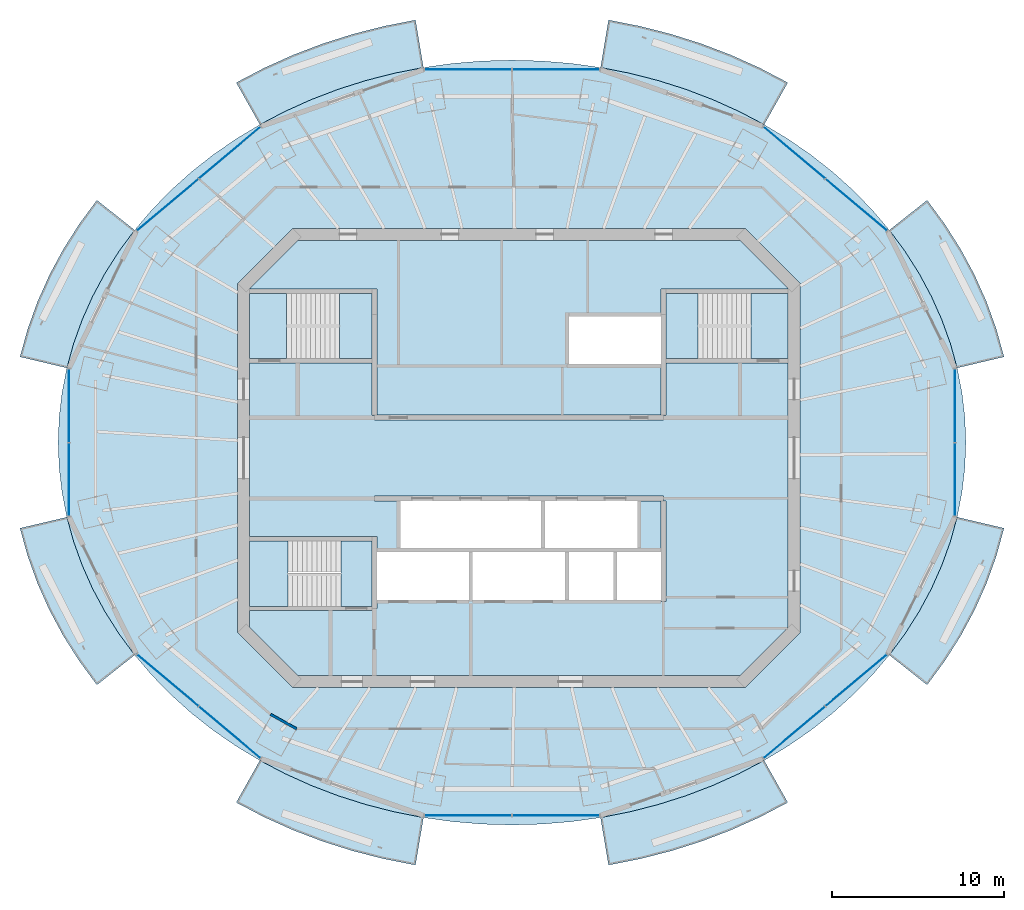
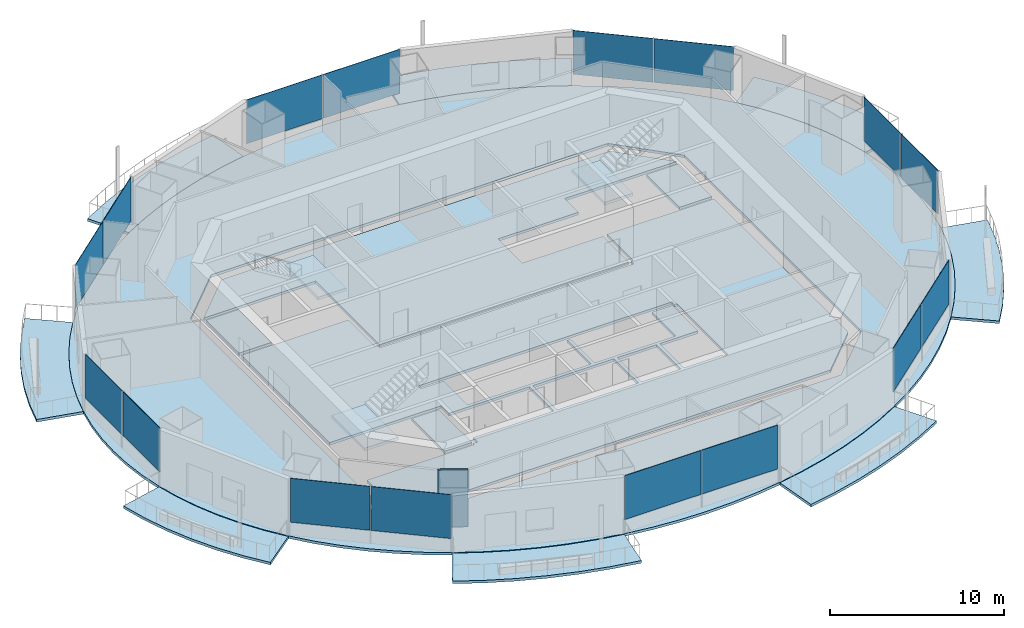
# One storey, part 7 of 16: 17 slabs, 16 plates, 1 wall, 11 elements without a shape of their own.
"""IFC4 building model written with IfcOpenShell, lengths in metres."""

from ifc_helpers import new_model, si_unit, direction, frame, frame_2d, origin, origin_2d, place, context, subcontext, project, spatial, polyline, rectangle, outline, extrude, material, layer, layer_set, type_object, element, aggregate, save


model = new_model("IFC4")

# Units and contexts
model_context = context("Model", 3, precision=1e-05, world=origin(), true_north=direction((0.0, 1.0)))
body_context = subcontext(model_context, "Body", "Model", "MODEL_VIEW")
ifc_project = project(units=[si_unit("LENGTHUNIT", "METRE"), si_unit("AREAUNIT", "SQUARE_METRE"), si_unit("VOLUMEUNIT", "CUBIC_METRE"), si_unit("PLANEANGLEUNIT", "RADIAN"), si_unit("MASSUNIT", "GRAM", prefix="KILO")], contexts=[model_context])

# Site, building, storey
site_placement = place(None, origin())
site = spatial("IfcSite", under=ifc_project, at=site_placement, CompositionType="ELEMENT")
building_placement = place(site_placement, origin())
building = spatial("IfcBuilding", under=site, at=building_placement, Name="Marenthal Gate Tower", CompositionType="ELEMENT")
storey_placement = place(building_placement, frame((0.0, 0.0, 367.5)))
storey = spatial("IfcBuildingStorey", under=building, at=storey_placement, Name="L83", CompositionType="ELEMENT", Elevation=367.5)

# Slabs
ifc_material_1 = material(Name="Concrete 40 MPa", Category="concrete")
ifc_layer_1 = layer(ifc_material_1, 0.179931640625)
ifc_layer_set_1 = layer_set([ifc_layer_1], Name="Balcony deck 180")
slab_type_1 = type_object("IfcSlabType", Name="Balcony deck 180", PredefinedType="USERDEFINED", material=ifc_layer_set_1)
slab_1_placement = place(storey_placement, frame((0.0, 0.0, -0.219970703125)))
element("IfcSlab", 1, at=slab_1_placement, inside=storey, type_object=slab_type_1, Name="Balcony deck L83 bay 1", ObjectType="BALCONY", PredefinedType="USERDEFINED", context=body_context, shape_type="SweptSolid", body=[
    extrude(outline(polyline([(25.47802734375, 5.237060546875), (25.0859375, 6.65380859375), (24.584716796875, 8.0458984375), (23.9765625, 9.407470703125), (23.263916015625, 10.732421875), (22.4501953125, 12.015380859375), (21.538330078125, 13.2509765625), (23.732177734375, 14.99072265625), (24.759765625, 13.59814453125), (25.680419921875, 12.14697265625), (26.4892578125, 10.642822265625), (27.181884765625, 9.09228515625), (27.75439453125, 7.50244140625), (28.203125, 5.88037109375), (25.47802734375, 5.237060546875)])), origin(), (0.0, 0.0, 1.0), 0.179931640625),
])
slab_2_placement = place(storey_placement, frame((0.0, 0.0, -0.219970703125)))
element("IfcSlab", 2, at=slab_2_placement, inside=storey, type_object=slab_type_1, Name="Balcony deck L83 bay 3", ObjectType="BALCONY", PredefinedType="USERDEFINED", context=body_context, shape_type="SweptSolid", body=[
    extrude(outline(polyline([(14.2587890625, 19.384521484375), (12.79248046875, 20.152587890625), (11.269775390625, 20.83837890625), (9.697021484375, 21.438720703125), (8.081298828125, 21.951171875), (6.428955078125, 22.37353515625), (4.74755859375, 22.703857421875), (5.210205078125, 25.46533203125), (7.04541015625, 25.104736328125), (8.85107421875, 24.643310546875), (10.61962890625, 24.08251953125), (12.34423828125, 23.424072265625), (14.017333984375, 22.67041015625), (15.63232421875, 21.82421875), (14.2587890625, 19.384521484375)])), origin(), (0.0, 0.0, 1.0), 0.179931640625),
])
slab_3_placement = place(storey_placement, frame((0.0, 0.0, -0.219970703125)))
element("IfcSlab", 3, at=slab_3_placement, inside=storey, type_object=slab_type_1, Name="Balcony deck L83 bay 5", ObjectType="BALCONY", PredefinedType="USERDEFINED", context=body_context, shape_type="SweptSolid", body=[
    extrude(outline(polyline([(-5.547607421875, 22.703857421875), (-7.22900390625, 22.37353515625), (-8.881103515625, 21.951171875), (-10.4970703125, 21.438720703125), (-12.06982421875, 20.83837890625), (-13.592529296875, 20.152587890625), (-15.05859375, 19.384521484375), (-16.432373046875, 21.82421875), (-14.8173828125, 22.67041015625), (-13.14404296875, 23.424072265625), (-11.419677734375, 24.08251953125), (-9.651123046875, 24.643310546875), (-7.845458984375, 25.104736328125), (-6.01025390625, 25.46533203125), (-5.547607421875, 22.703857421875)])), origin(), (0.0, 0.0, 1.0), 0.179931640625),
])
slab_4_placement = place(storey_placement, frame((0.0, 0.0, -0.219970703125)))
element("IfcSlab", 4, at=slab_4_placement, inside=storey, type_object=slab_type_1, Name="Balcony deck L83 bay 7", ObjectType="BALCONY", PredefinedType="USERDEFINED", context=body_context, shape_type="SweptSolid", body=[
    extrude(outline(polyline([(-22.33837890625, 13.2509765625), (-23.25, 12.015380859375), (-24.06396484375, 10.732421875), (-24.776611328125, 9.407470703125), (-25.384765625, 8.0458984375), (-25.885986328125, 6.65380859375), (-26.278076171875, 5.237060546875), (-29.003173828125, 5.88037109375), (-28.55419921875, 7.50244140625), (-27.98193359375, 9.09228515625), (-27.289306640625, 10.642822265625), (-26.48046875, 12.14697265625), (-25.559814453125, 13.59814453125), (-24.5322265625, 14.99072265625), (-22.33837890625, 13.2509765625)])), origin(), (0.0, 0.0, 1.0), 0.179931640625),
])
slab_5_placement = place(storey_placement, frame((0.0, 0.0, -0.219970703125)))
element("IfcSlab", 5, at=slab_5_placement, inside=storey, type_object=slab_type_1, Name="Balcony deck L83 bay 9", ObjectType="BALCONY", PredefinedType="USERDEFINED", context=body_context, shape_type="SweptSolid", body=[
    extrude(outline(polyline([(-26.278076171875, -3.43701171875), (-25.885986328125, -4.853759765625), (-25.384765625, -6.245849609375), (-24.776611328125, -7.607421875), (-24.06396484375, -8.9326171875), (-23.25, -10.215576171875), (-22.33837890625, -11.450927734375), (-24.5322265625, -13.190673828125), (-25.559814453125, -11.79833984375), (-26.48046875, -10.346923828125), (-27.289306640625, -8.8427734375), (-27.98193359375, -7.292236328125), (-28.55419921875, -5.702392578125), (-29.003173828125, -4.08056640625), (-26.278076171875, -3.43701171875)])), origin(), (0.0, 0.0, 1.0), 0.179931640625),
])
slab_6_placement = place(storey_placement, frame((0.0, 0.0, -0.219970703125)))
element("IfcSlab", 6, at=slab_6_placement, inside=storey, type_object=slab_type_1, Name="Balcony deck L83 bay 11", ObjectType="BALCONY", PredefinedType="USERDEFINED", context=body_context, shape_type="SweptSolid", body=[
    extrude(outline(polyline([(-15.05859375, -17.58447265625), (-13.592529296875, -18.3525390625), (-12.06982421875, -19.038330078125), (-10.4970703125, -19.638916015625), (-8.881103515625, -20.151123046875), (-7.22900390625, -20.573486328125), (-5.547607421875, -20.90380859375), (-6.01025390625, -23.665283203125), (-7.845458984375, -23.3046875), (-9.651123046875, -22.84326171875), (-11.419677734375, -22.282470703125), (-13.14404296875, -21.6240234375), (-14.8173828125, -20.87060546875), (-16.432373046875, -20.0244140625), (-15.05859375, -17.58447265625)])), origin(), (0.0, 0.0, 1.0), 0.179931640625),
])
slab_7_placement = place(storey_placement, frame((0.0, 0.0, -0.219970703125)))
element("IfcSlab", 7, at=slab_7_placement, inside=storey, type_object=slab_type_1, Name="Balcony deck L83 bay 13", ObjectType="BALCONY", PredefinedType="USERDEFINED", context=body_context, shape_type="SweptSolid", body=[
    extrude(outline(polyline([(4.74755859375, -20.90380859375), (6.428955078125, -20.573486328125), (8.081298828125, -20.151123046875), (9.697021484375, -19.638916015625), (11.269775390625, -19.038330078125), (12.79248046875, -18.3525390625), (14.2587890625, -17.58447265625), (15.63232421875, -20.0244140625), (14.017333984375, -20.87060546875), (12.34423828125, -21.6240234375), (10.61962890625, -22.282470703125), (8.85107421875, -22.84326171875), (7.04541015625, -23.3046875), (5.210205078125, -23.665283203125), (4.74755859375, -20.90380859375)])), origin(), (0.0, 0.0, 1.0), 0.179931640625),
])
slab_8_placement = place(storey_placement, frame((0.0, 0.0, -0.219970703125)))
element("IfcSlab", 8, at=slab_8_placement, inside=storey, type_object=slab_type_1, Name="Balcony deck L83 bay 15", ObjectType="BALCONY", PredefinedType="USERDEFINED", context=body_context, shape_type="SweptSolid", body=[
    extrude(outline(polyline([(21.538330078125, -11.450927734375), (22.4501953125, -10.215576171875), (23.263916015625, -8.9326171875), (23.9765625, -7.607421875), (24.584716796875, -6.245849609375), (25.0859375, -4.853759765625), (25.47802734375, -3.43701171875), (28.203125, -4.08056640625), (27.75439453125, -5.702392578125), (27.181884765625, -7.292236328125), (26.4892578125, -8.8427734375), (25.680419921875, -10.346923828125), (24.759765625, -11.79833984375), (23.732177734375, -13.190673828125), (21.538330078125, -11.450927734375)])), origin(), (0.0, 0.0, 1.0), 0.179931640625),
])
ifc_material_2 = material(Name="Concrete 50 MPa", Category="concrete")
ifc_layer_2 = layer(ifc_material_2, 0.179931640625)
ifc_layer_set_2 = layer_set([ifc_layer_2], Name="Core floor slab 180")
slab_type_2 = type_object("IfcSlabType", Name="Core floor slab 180", PredefinedType="FLOOR", material=ifc_layer_set_2)
slab_9_placement = place(storey_placement, frame((0.0, 0.0, -0.179931640625)))
element("IfcSlab", 9, at=slab_9_placement, inside=storey, type_object=slab_type_2, Name="Core floor L83", PredefinedType="FLOOR", context=body_context, shape_type="SweptSolid", body=[
    extrude(outline(polyline([(12.85498046875, -12.64990234375), (-12.85498046875, -12.64990234375), (-15.64990234375, -9.85498046875), (-15.64990234375, -8.875), (-8.550048828125, -8.875), (-8.550048828125, -8.75), (-8.25, -8.75), (-8.25, -8.239990234375), (-5.60009765625, -8.239990234375), (-2.909912109375, -8.239990234375), (-2.909912109375, -5.4599609375), (-5.60009765625, -5.4599609375), (-8.25, -5.4599609375), (-8.25, -4.574951171875), (-8.550048828125, -4.574951171875), (-15.64990234375, -4.574951171875), (-15.64990234375, 5.52490234375), (-8.550048828125, 5.52490234375), (-8.550048828125, 2.5), (-8.39990234375, 2.5), (-8.39990234375, 2.199951171875), (8.39990234375, 2.199951171875), (8.39990234375, 2.5), (8.550048828125, 2.5), (8.550048828125, 5.52490234375), (15.64990234375, 5.52490234375), (15.64990234375, -9.85498046875), (12.85498046875, -12.64990234375)]), holes=[polyline([(0.0, -8.239990234375), (2.68994140625, -8.239990234375), (2.68994140625, -5.4599609375), (0.0, -5.4599609375), (-2.68994140625, -5.4599609375), (-2.68994140625, -8.239990234375), (0.0, -8.239990234375)]), polyline([(1.2900390625, -5.239990234375), (1.2900390625, -2.5), (1.510009765625, -2.5), (1.510009765625, -5.239990234375), (4.199951171875, -5.239990234375), (6.889892578125, -5.239990234375), (6.889892578125, -2.5), (8.25, -2.5), (8.25, -5.4599609375), (5.7099609375, -5.4599609375), (5.7099609375, -8.239990234375), (8.25, -8.239990234375), (8.25, -8.35009765625), (8.550048828125, -8.35009765625), (8.550048828125, -2.5), (8.39990234375, -2.5), (8.39990234375, -2.199951171875), (-8.39990234375, -2.199951171875), (-8.39990234375, -2.5), (-6.889892578125, -2.5), (-6.889892578125, -5.239990234375), (-4.199951171875, -5.239990234375), (-1.39990234375, -5.239990234375), (1.2900390625, -5.239990234375)]), polyline([(5.489990234375, -5.4599609375), (2.909912109375, -5.4599609375), (2.909912109375, -8.239990234375), (5.489990234375, -8.239990234375), (5.489990234375, -5.4599609375)])]), origin(), (0.0, 0.0, 1.0), 0.179931640625),
])
slab_10_placement = place(storey_placement, frame((0.0, 0.0, -0.179931640625)))
element("IfcSlab", 10, at=slab_10_placement, inside=storey, type_object=slab_type_2, Name="Core floor L83", PredefinedType="FLOOR", context=body_context, shape_type="SweptSolid", body=[
    extrude(outline(polyline([(15.64990234375, 5.77490234375), (13.5, 5.77490234375), (13.5, 9.574951171875), (15.64990234375, 9.574951171875), (15.64990234375, 5.77490234375)])), origin(), (0.0, 0.0, 1.0), 0.179931640625),
])
slab_11_placement = place(storey_placement, frame((0.0, 0.0, -0.179931640625)))
element("IfcSlab", 11, at=slab_11_placement, inside=storey, type_object=slab_type_2, Name="Core floor L83", PredefinedType="FLOOR", context=body_context, shape_type="SweptSolid", body=[
    extrude(outline(polyline([(15.64990234375, 9.824951171875), (8.550048828125, 9.824951171875), (8.25, 9.824951171875), (8.25, 8.35009765625), (8.25, 8.239990234375), (5.60009765625, 8.239990234375), (2.909912109375, 8.239990234375), (2.909912109375, 5.4599609375), (5.60009765625, 5.4599609375), (8.25, 5.4599609375), (8.25, 2.5), (-8.25, 2.5), (-8.25, 8.35009765625), (-8.25, 9.824951171875), (-8.550048828125, 9.824951171875), (-15.64990234375, 9.824951171875), (-15.64990234375, 9.85498046875), (-12.85498046875, 12.64990234375), (12.85498046875, 12.64990234375), (15.64990234375, 9.85498046875), (15.64990234375, 9.824951171875)])), origin(), (0.0, 0.0, 1.0), 0.179931640625),
])
slab_12_placement = place(storey_placement, frame((0.0, 0.0, -0.179931640625)))
element("IfcSlab", 12, at=slab_12_placement, inside=storey, type_object=slab_type_2, Name="Core floor L83", PredefinedType="FLOOR", context=body_context, shape_type="SweptSolid", body=[
    extrude(outline(polyline([(-15.64990234375, 9.574951171875), (-13.5, 9.574951171875), (-13.5, 5.77490234375), (-15.64990234375, 5.77490234375), (-15.64990234375, 9.574951171875)])), origin(), (0.0, 0.0, 1.0), 0.179931640625),
])
slab_13_placement = place(storey_placement, frame((0.0, 0.0, -0.179931640625)))
element("IfcSlab", 13, at=slab_13_placement, inside=storey, type_object=slab_type_2, Name="Core floor L83", PredefinedType="FLOOR", context=body_context, shape_type="SweptSolid", body=[
    extrude(outline(polyline([(-8.550048828125, -4.824951171875), (-8.550048828125, -8.625), (-10.35009765625, -8.625), (-10.35009765625, -4.824951171875), (-8.550048828125, -4.824951171875)])), origin(), (0.0, 0.0, 1.0), 0.179931640625),
])
ifc_material_3 = material(Name="Concrete 35 MPa", Category="concrete")
ifc_layer_3 = layer(ifc_material_3, 0.179931640625)
ifc_layer_set_3 = layer_set([ifc_layer_3], Name="Floor slab 180")
slab_type_3 = type_object("IfcSlabType", Name="Floor slab 180", PredefinedType="FLOOR", material=ifc_layer_set_3)
slab_14_placement = place(storey_placement, frame((0.0, 0.0, -0.179931640625)))
element("IfcSlab", 14, at=slab_14_placement, inside=storey, type_object=slab_type_3, Name="SL-L83-01", PredefinedType="FLOOR", context=body_context, shape_type="SweptSolid", body=[
    extrude(outline(polyline([(25.985107421875, 0.89990234375), (25.928466796875, 2.35400390625), (25.75927734375, 3.8017578125), (25.47802734375, 5.237060546875), (25.0859375, 6.65380859375), (24.584716796875, 8.0458984375), (23.9765625, 9.407470703125), (23.263916015625, 10.732421875), (22.4501953125, 12.015380859375), (21.538330078125, 13.2509765625), (20.53271484375, 14.433349609375), (19.437255859375, 15.557861328125), (18.257080078125, 16.61962890625), (16.996826171875, 17.6142578125), (15.662109375, 18.537109375), (14.2587890625, 19.384521484375), (12.79248046875, 20.152587890625), (11.269775390625, 20.83837890625), (9.697021484375, 21.438720703125), (8.081298828125, 21.951171875), (6.428955078125, 22.37353515625), (4.74755859375, 22.703857421875), (3.0439453125, 22.94091796875), (1.32568359375, 23.08349609375), (-0.39990234375, 23.131103515625), (-2.125732421875, 23.08349609375), (-3.843994140625, 22.94091796875), (-5.547607421875, 22.703857421875), (-7.22900390625, 22.37353515625), (-8.881103515625, 21.951171875), (-10.4970703125, 21.438720703125), (-12.06982421875, 20.83837890625), (-13.592529296875, 20.152587890625), (-15.05859375, 19.384521484375), (-16.462158203125, 18.537109375), (-17.796875, 17.6142578125), (-19.056884765625, 16.61962890625), (-20.2373046875, 15.557861328125), (-21.33251953125, 14.433349609375), (-22.33837890625, 13.2509765625), (-23.25, 12.015380859375), (-24.06396484375, 10.732421875), (-24.776611328125, 9.407470703125), (-25.384765625, 8.0458984375), (-25.885986328125, 6.65380859375), (-26.278076171875, 5.237060546875), (-26.559326171875, 3.8017578125), (-26.728515625, 2.35400390625), (-26.784912109375, 0.89990234375), (-26.728515625, -0.553955078125), (-26.559326171875, -2.001708984375), (-26.278076171875, -3.43701171875), (-25.885986328125, -4.853759765625), (-25.384765625, -6.245849609375), (-24.776611328125, -7.607421875), (-24.06396484375, -8.9326171875), (-23.25, -10.215576171875), (-22.33837890625, -11.450927734375), (-21.33251953125, -12.63330078125), (-20.2373046875, -13.7578125), (-19.056884765625, -14.819580078125), (-17.796875, -15.814208984375), (-16.462158203125, -16.737060546875), (-15.05859375, -17.58447265625), (-13.592529296875, -18.3525390625), (-12.06982421875, -19.038330078125), (-10.4970703125, -19.638916015625), (-8.881103515625, -20.151123046875), (-7.22900390625, -20.573486328125), (-5.547607421875, -20.90380859375), (-3.843994140625, -21.140869140625), (-2.125732421875, -21.283447265625), (-0.39990234375, -21.3310546875), (1.32568359375, -21.283447265625), (3.0439453125, -21.140869140625), (4.74755859375, -20.90380859375), (6.428955078125, -20.573486328125), (8.081298828125, -20.151123046875), (9.697021484375, -19.638916015625), (11.269775390625, -19.038330078125), (12.79248046875, -18.3525390625), (14.2587890625, -17.58447265625), (15.662109375, -16.737060546875), (16.996826171875, -15.814208984375), (18.257080078125, -14.819580078125), (19.437255859375, -13.7578125), (20.53271484375, -12.63330078125), (21.538330078125, -11.450927734375), (22.4501953125, -10.215576171875), (23.263916015625, -8.9326171875), (23.9765625, -7.607421875), (24.584716796875, -6.245849609375), (25.0859375, -4.853759765625), (25.47802734375, -3.43701171875), (25.75927734375, -2.001708984375), (25.928466796875, -0.553955078125), (25.985107421875, 0.89990234375)]), holes=[polyline([(13.14501953125, -13.35009765625), (16.35009765625, -10.14501953125), (16.35009765625, 10.14501953125), (13.14501953125, 13.35009765625), (-13.14501953125, 13.35009765625), (-16.35009765625, 10.14501953125), (-16.35009765625, -10.14501953125), (-13.14501953125, -13.35009765625), (13.14501953125, -13.35009765625)])]), origin(), (0.0, 0.0, 1.0), 0.179931640625),
])

# Curtain wall, plates
ifc_material_4 = material(Name="Aluminium and glass", Category="aluminium")
curtain_wall_type = type_object("IfcCurtainWallType", Name="Curtain wall typical high", PredefinedType="NOTDEFINED", material=ifc_material_4)
curtain_wall_1_placement = place(storey_placement, origin())
curtain_wall_1 = element("IfcCurtainWall", 15, at=curtain_wall_1_placement, inside=storey, type_object=curtain_wall_type, Name="Curtain wall L83 bay 2", PredefinedType="NOTDEFINED")
ifc_material_5 = material(Name="Glass, laminated insulating unit", Category="glass")
ifc_layer_4 = layer(ifc_material_5, 0.031982421875)
ifc_layer_set_4 = layer_set([ifc_layer_4], Name="Glass panel 32 typical high")
plate_type = type_object("IfcPlateType", Name="Glass panel 32 typical high", PredefinedType="CURTAIN_PANEL", material=ifc_layer_set_4)
plate_1_placement = place(storey_placement, frame((19.615478515625, 14.718994140625, 0.89990234375), z_axis=(0.0, 0.0, 1.0), x_axis=(-0.765006459905, 0.644022605429, 0.0)))
plate_1 = element("IfcPlate", 16, at=plate_1_placement, type_object=plate_type, Name="Glass panel L83 bay 2.1", PredefinedType="CURTAIN_PANEL", context=body_context, shape_type="SweptSolid", body=[
    extrude(rectangle(XDim=4.646240234375, YDim=0.031982421875, at=origin_2d()), origin(), (0.0, 0.0, 1.0), 3.070068359375),
])
plate_2_placement = place(storey_placement, frame((16.01513671875, 17.749755859375, 0.89990234375), z_axis=(0.0, 0.0, 1.0), x_axis=(-0.765006459905, 0.644022605429, 0.0)))
plate_2 = element("IfcPlate", 17, at=plate_2_placement, type_object=plate_type, Name="Glass panel L83 bay 2.2", PredefinedType="CURTAIN_PANEL", context=body_context, shape_type="SweptSolid", body=[
    extrude(rectangle(XDim=4.64599609375, YDim=0.031982421875, at=origin_2d()), origin(), (0.0, 0.0, 1.0), 3.070068359375),
])
aggregate(curtain_wall_1, [plate_1, plate_2])

curtain_wall_2_placement = place(storey_placement, origin())
curtain_wall_2 = element("IfcCurtainWall", 18, at=curtain_wall_2_placement, inside=storey, type_object=curtain_wall_type, Name="Curtain wall L83 bay 4", PredefinedType="NOTDEFINED")
plate_3_placement = place(storey_placement, frame((2.14697265625, 22.586181640625, 0.89990234375), z_axis=(0.0, 0.0, 1.0), x_axis=(-1.0, 0.0, 0.0)))
plate_3 = element("IfcPlate", 19, at=plate_3_placement, type_object=plate_type, Name="Glass panel L83 bay 4.1", PredefinedType="CURTAIN_PANEL", context=body_context, shape_type="SweptSolid", body=[
    extrude(rectangle(XDim=5.033935546875, YDim=0.031982421875, at=origin_2d()), origin(), (0.0, 0.0, 1.0), 3.070068359375),
])
plate_4_placement = place(storey_placement, frame((-2.947021484375, 22.586181640625, 0.89990234375), z_axis=(0.0, 0.0, 1.0), x_axis=(-1.0, 0.0, 0.0)))
plate_4 = element("IfcPlate", 20, at=plate_4_placement, type_object=plate_type, Name="Glass panel L83 bay 4.2", PredefinedType="CURTAIN_PANEL", context=body_context, shape_type="SweptSolid", body=[
    extrude(rectangle(XDim=5.033935546875, YDim=0.031982421875, at=origin_2d()), origin(), (0.0, 0.0, 1.0), 3.070068359375),
])
aggregate(curtain_wall_2, [plate_3, plate_4])

curtain_wall_3_placement = place(storey_placement, origin())
curtain_wall_3 = element("IfcCurtainWall", 21, at=curtain_wall_3_placement, inside=storey, type_object=curtain_wall_type, Name="Curtain wall L83 bay 6", PredefinedType="NOTDEFINED")
plate_5_placement = place(storey_placement, frame((-16.815185546875, 17.749755859375, 0.89990234375), z_axis=(0.0, 0.0, 1.0), x_axis=(-0.765006459905, -0.644022605429, 0.0)))
plate_5 = element("IfcPlate", 22, at=plate_5_placement, type_object=plate_type, Name="Glass panel L83 bay 6.1", PredefinedType="CURTAIN_PANEL", context=body_context, shape_type="SweptSolid", body=[
    extrude(rectangle(XDim=4.646240234375, YDim=0.031982421875, at=origin_2d()), origin(), (0.0, 0.0, 1.0), 3.070068359375),
])
plate_6_placement = place(storey_placement, frame((-20.41552734375, 14.718994140625, 0.89990234375), z_axis=(0.0, 0.0, 1.0), x_axis=(-0.765006459905, -0.644022605429, 0.0)))
plate_6 = element("IfcPlate", 23, at=plate_6_placement, type_object=plate_type, Name="Glass panel L83 bay 6.2", PredefinedType="CURTAIN_PANEL", context=body_context, shape_type="SweptSolid", body=[
    extrude(rectangle(XDim=4.64599609375, YDim=0.031982421875, at=origin_2d()), origin(), (0.0, 0.0, 1.0), 3.070068359375),
])
aggregate(curtain_wall_3, [plate_5, plate_6])

curtain_wall_4_placement = place(storey_placement, origin())
curtain_wall_4 = element("IfcCurtainWall", 24, at=curtain_wall_4_placement, inside=storey, type_object=curtain_wall_type, Name="Curtain wall L83 bay 8", PredefinedType="NOTDEFINED")
plate_7_placement = place(storey_placement, frame((-26.160400390625, 3.041748046875, 0.89990234375), z_axis=(0.0, 0.0, 1.0), x_axis=(0.0, -1.0, 0.0)))
plate_7 = element("IfcPlate", 25, at=plate_7_placement, type_object=plate_type, Name="Glass panel L83 bay 8.1", PredefinedType="CURTAIN_PANEL", context=body_context, shape_type="SweptSolid", body=[
    extrude(rectangle(XDim=4.2236328125, YDim=0.031982421875, at=origin_2d()), origin(), (0.0, 0.0, 1.0), 3.070068359375),
])
plate_8_placement = place(storey_placement, frame((-26.160400390625, -1.24169921875, 0.89990234375), z_axis=(0.0, 0.0, 1.0), x_axis=(0.0, -1.0, 0.0)))
plate_8 = element("IfcPlate", 26, at=plate_8_placement, type_object=plate_type, Name="Glass panel L83 bay 8.2", PredefinedType="CURTAIN_PANEL", context=body_context, shape_type="SweptSolid", body=[
    extrude(rectangle(XDim=4.2236328125, YDim=0.031982421875, at=origin_2d()), origin(), (0.0, 0.0, 1.0), 3.070068359375),
])
aggregate(curtain_wall_4, [plate_7, plate_8])

curtain_wall_5_placement = place(storey_placement, origin())
curtain_wall_5 = element("IfcCurtainWall", 27, at=curtain_wall_5_placement, inside=storey, type_object=curtain_wall_type, Name="Curtain wall L83 bay 10", PredefinedType="NOTDEFINED")
plate_9_placement = place(storey_placement, frame((-20.41552734375, -12.9189453125, 0.89990234375), z_axis=(0.0, 0.0, 1.0), x_axis=(0.765006459905, -0.644022605429, 0.0)))
plate_9 = element("IfcPlate", 28, at=plate_9_placement, type_object=plate_type, Name="Glass panel L83 bay 10.1", PredefinedType="CURTAIN_PANEL", context=body_context, shape_type="SweptSolid", body=[
    extrude(rectangle(XDim=4.646240234375, YDim=0.031982421875, at=origin_2d()), origin(), (0.0, 0.0, 1.0), 3.070068359375),
])
plate_10_placement = place(storey_placement, frame((-16.815185546875, -15.949951171875, 0.89990234375), z_axis=(0.0, 0.0, 1.0), x_axis=(0.765006459905, -0.644022605429, 0.0)))
plate_10 = element("IfcPlate", 29, at=plate_10_placement, type_object=plate_type, Name="Glass panel L83 bay 10.2", PredefinedType="CURTAIN_PANEL", context=body_context, shape_type="SweptSolid", body=[
    extrude(rectangle(XDim=4.64599609375, YDim=0.031982421875, at=origin_2d()), origin(), (0.0, 0.0, 1.0), 3.070068359375),
])
aggregate(curtain_wall_5, [plate_9, plate_10])

curtain_wall_6_placement = place(storey_placement, origin())
curtain_wall_6 = element("IfcCurtainWall", 30, at=curtain_wall_6_placement, inside=storey, type_object=curtain_wall_type, Name="Curtain wall L83 bay 12", PredefinedType="NOTDEFINED")
plate_11_placement = place(storey_placement, frame((-2.947021484375, -20.7861328125, 0.89990234375), z_axis=(0.0, 0.0, 1.0), x_axis=(1.0, 0.0, 0.0)))
plate_11 = element("IfcPlate", 31, at=plate_11_placement, type_object=plate_type, Name="Glass panel L83 bay 12.1", PredefinedType="CURTAIN_PANEL", context=body_context, shape_type="SweptSolid", body=[
    extrude(rectangle(XDim=5.033935546875, YDim=0.031982421875, at=origin_2d()), origin(), (0.0, 0.0, 1.0), 3.070068359375),
])
plate_12_placement = place(storey_placement, frame((2.14697265625, -20.7861328125, 0.89990234375), z_axis=(0.0, 0.0, 1.0), x_axis=(1.0, 0.0, 0.0)))
plate_12 = element("IfcPlate", 32, at=plate_12_placement, type_object=plate_type, Name="Glass panel L83 bay 12.2", PredefinedType="CURTAIN_PANEL", context=body_context, shape_type="SweptSolid", body=[
    extrude(rectangle(XDim=5.033935546875, YDim=0.031982421875, at=origin_2d()), origin(), (0.0, 0.0, 1.0), 3.070068359375),
])
aggregate(curtain_wall_6, [plate_11, plate_12])

curtain_wall_7_placement = place(storey_placement, origin())
curtain_wall_7 = element("IfcCurtainWall", 33, at=curtain_wall_7_placement, inside=storey, type_object=curtain_wall_type, Name="Curtain wall L83 bay 14", PredefinedType="NOTDEFINED")
plate_13_placement = place(storey_placement, frame((16.01513671875, -15.949951171875, 0.89990234375), z_axis=(0.0, 0.0, 1.0), x_axis=(0.765006459905, 0.644022605429, 0.0)))
plate_13 = element("IfcPlate", 34, at=plate_13_placement, type_object=plate_type, Name="Glass panel L83 bay 14.1", PredefinedType="CURTAIN_PANEL", context=body_context, shape_type="SweptSolid", body=[
    extrude(rectangle(XDim=4.646240234375, YDim=0.031982421875, at=origin_2d()), origin(), (0.0, 0.0, 1.0), 3.070068359375),
])
plate_14_placement = place(storey_placement, frame((19.615478515625, -12.9189453125, 0.89990234375), z_axis=(0.0, 0.0, 1.0), x_axis=(0.765006459905, 0.644022605429, 0.0)))
plate_14 = element("IfcPlate", 35, at=plate_14_placement, type_object=plate_type, Name="Glass panel L83 bay 14.2", PredefinedType="CURTAIN_PANEL", context=body_context, shape_type="SweptSolid", body=[
    extrude(rectangle(XDim=4.64599609375, YDim=0.031982421875, at=origin_2d()), origin(), (0.0, 0.0, 1.0), 3.070068359375),
])
aggregate(curtain_wall_7, [plate_13, plate_14])

curtain_wall_8_placement = place(storey_placement, origin())
curtain_wall_8 = element("IfcCurtainWall", 36, at=curtain_wall_8_placement, inside=storey, type_object=curtain_wall_type, Name="Curtain wall L83 bay 16", PredefinedType="NOTDEFINED")
plate_15_placement = place(storey_placement, frame((25.3603515625, -1.24169921875, 0.89990234375), z_axis=(0.0, 0.0, 1.0), x_axis=(0.0, 1.0, 0.0)))
plate_15 = element("IfcPlate", 37, at=plate_15_placement, type_object=plate_type, Name="Glass panel L83 bay 16.1", PredefinedType="CURTAIN_PANEL", context=body_context, shape_type="SweptSolid", body=[
    extrude(rectangle(XDim=4.2236328125, YDim=0.031982421875, at=origin_2d()), origin(), (0.0, 0.0, 1.0), 3.070068359375),
])
plate_16_placement = place(storey_placement, frame((25.3603515625, 3.041748046875, 0.89990234375), z_axis=(0.0, 0.0, 1.0), x_axis=(0.0, 1.0, 0.0)))
plate_16 = element("IfcPlate", 38, at=plate_16_placement, type_object=plate_type, Name="Glass panel L83 bay 16.2", PredefinedType="CURTAIN_PANEL", context=body_context, shape_type="SweptSolid", body=[
    extrude(rectangle(XDim=4.2236328125, YDim=0.031982421875, at=origin_2d()), origin(), (0.0, 0.0, 1.0), 3.070068359375),
])
aggregate(curtain_wall_8, [plate_15, plate_16])

# Stair, slab
ifc_material_6 = material(Name="Concrete 40 MPa", Category="concrete")
stair_type = type_object("IfcStairType", Name="Exit stair 1800", PredefinedType="HALF_TURN_STAIR", material=ifc_material_6)
stair_1_placement = place(storey_placement, origin())
stair_1 = element("IfcStair", 39, at=stair_1_placement, inside=storey, type_object=stair_type, Name="Stair ST1", PredefinedType="HALF_TURN_STAIR")
ifc_material_7 = material(Name="Concrete 40 MPa", Category="concrete")
ifc_layer_5 = layer(ifc_material_7, 0.199951171875)
ifc_layer_set_5 = layer_set([ifc_layer_5], Name="Stair landing 200")
slab_type_4 = type_object("IfcSlabType", Name="Stair landing 200", PredefinedType="LANDING", material=ifc_layer_set_5)
slab_15_placement = place(storey_placement, frame((0.0, 0.0, 1.875)))
slab_15 = element("IfcSlab", 40, at=slab_15_placement, type_object=slab_type_4, Name="ST1 landing 1", PredefinedType="LANDING", context=body_context, shape_type="SweptSolid", body=[
    extrude(outline(polyline([(-10.419921875, 5.77490234375), (-8.550048828125, 5.77490234375), (-8.550048828125, 9.574951171875), (-10.419921875, 9.574951171875), (-10.419921875, 5.77490234375)])), origin(), (0.0, 0.0, 1.0), 0.199951171875),
])
aggregate(stair_1, [slab_15])

stair_2_placement = place(storey_placement, origin())
stair_2 = element("IfcStair", 41, at=stair_2_placement, inside=storey, type_object=stair_type, Name="Stair ST2", PredefinedType="HALF_TURN_STAIR")
slab_16_placement = place(storey_placement, frame((0.0, 0.0, 1.875)))
slab_16 = element("IfcSlab", 42, at=slab_16_placement, type_object=slab_type_4, Name="ST2 landing 1", PredefinedType="LANDING", context=body_context, shape_type="SweptSolid", body=[
    extrude(outline(polyline([(-15.64990234375, -8.625), (-13.429931640625, -8.625), (-13.429931640625, -4.824951171875), (-15.64990234375, -4.824951171875), (-15.64990234375, -8.625)])), origin(), (0.0, 0.0, 1.0), 0.199951171875),
])
aggregate(stair_2, [slab_16])

stair_3_placement = place(storey_placement, origin())
stair_3 = element("IfcStair", 43, at=stair_3_placement, inside=storey, type_object=stair_type, Name="Stair ST3", PredefinedType="HALF_TURN_STAIR")
slab_17_placement = place(storey_placement, frame((0.0, 0.0, 1.875)))
slab_17 = element("IfcSlab", 44, at=slab_17_placement, type_object=slab_type_4, Name="ST3 landing 1", PredefinedType="LANDING", context=body_context, shape_type="SweptSolid", body=[
    extrude(outline(polyline([(8.550048828125, 5.77490234375), (10.419921875, 5.77490234375), (10.419921875, 9.574951171875), (8.550048828125, 9.574951171875), (8.550048828125, 5.77490234375)])), origin(), (0.0, 0.0, 1.0), 0.199951171875),
])
aggregate(stair_3, [slab_17])

# Wall
ifc_material_8 = material(Name="Gypsum board on steel studs", Category="steel")
ifc_layer_6 = layer(ifc_material_8, 0.14990234375)
ifc_layer_set_6 = layer_set([ifc_layer_6], Name="Partition 150")
wall_type = type_object("IfcWallType", Name="Partition 150", PredefinedType="PARTITIONING", material=ifc_layer_set_6)
wall_placement = place(storey_placement, frame((-12.916015625, -15.75, 0.0), z_axis=(0.0, 0.0, 1.0), x_axis=(-0.87407797583, 0.485785644259, 0.0)))
element("IfcWall", 45, at=wall_placement, inside=storey, type_object=wall_type, Name="Partition wall 59", PredefinedType="PARTITIONING", context=body_context, shape_type="SweptSolid", body=[
    extrude(rectangle(XDim=1.742919921875, YDim=0.14990234375, at=frame_2d((0.87158203125, 0.0))), origin(), (0.0, 0.0, 1.0), 3.969970703125),
])

save(model, "model.ifc")
